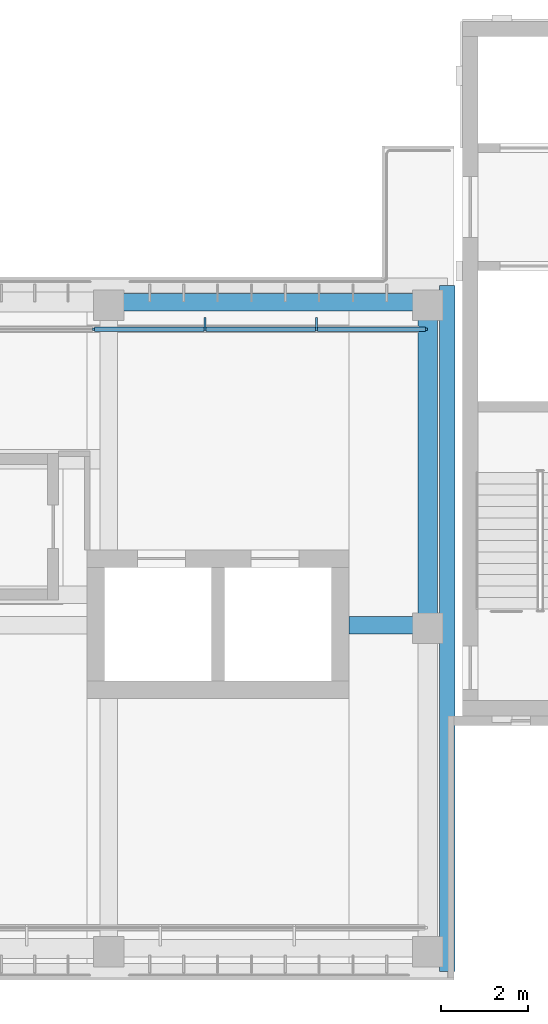
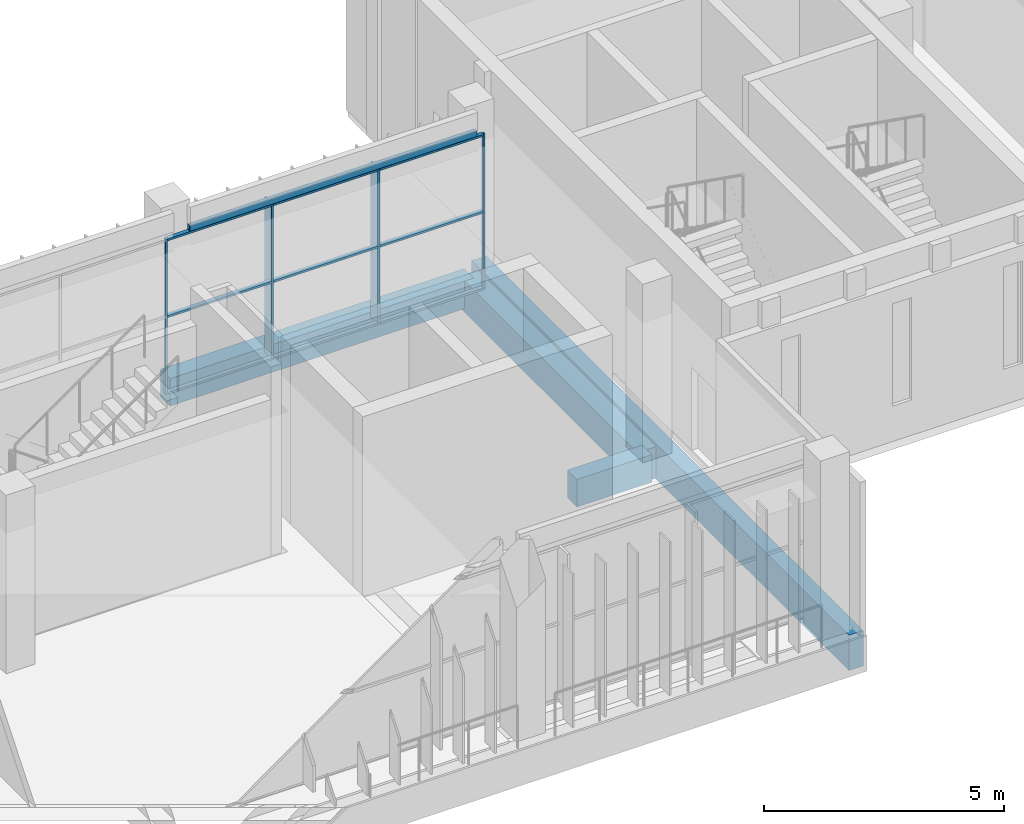
# One storey, part 18 of 46: 13 members, 5 beams, 1 element without a shape of its own.
"""IFC4 building model written with IfcOpenShell, lengths in metres."""

import ifcopenshell
import ifcopenshell.guid

model = None  # the IFC model being written
_history = None  # IfcOwnerHistory: only IFC2X3 demands one
_inside = {}  # id of a spatial element -> (the spatial element, [elements in it])
_under = {}  # id of a project, library or spatial element -> (it, [spatial elements below it])
_declared = {}  # id of a project -> (the project, [libraries it declares])
_typed = {}  # id of a type object -> (the type object, [elements of that type])
_made_of = {}  # id of a material, layer set ... -> (it, [elements and type objects made of it])


def new_model(schema):
    """Start an empty IFC model of exactly this schema.

    Asked for "IFC4X3", IfcOpenShell would pick the latest addendum, in which some entities
    have other attributes; the version numbers below select the first issue.
    IFC2X3 requires an IfcOwnerHistory on every rooted entity: one is made here for all.
    """
    global model, _history
    if schema == "IFC4X3":
        model = ifcopenshell.file(schema_version=(4, 3, 0, 0))
    else:
        model = ifcopenshell.file(schema=schema)
    _inside.clear()
    _under.clear()
    _declared.clear()
    _typed.clear()
    _made_of.clear()
    _history = None
    if model.schema == "IFC2X3":
        org = make("IfcOrganization", Name="unknown")
        user = make(
            "IfcPersonAndOrganization",
            ThePerson=make("IfcPerson", FamilyName="unknown"),
            TheOrganization=org,
        )
        app = make(
            "IfcApplication",
            ApplicationDeveloper=org,
            Version="unknown",
            ApplicationFullName="unknown",
            ApplicationIdentifier="unknown",
        )
        _history = make(
            "IfcOwnerHistory",
            OwningUser=user,
            OwningApplication=app,
            ChangeAction="ADDED",
            CreationDate=0,
        )
    return model


def make(cls, **values):
    """One entity of the class cls with the attributes given. An attribute that is None is left unset."""
    return model.create_entity(
        cls, **{name: value for name, value in values.items() if value is not None}
    )


def rooted(cls, **values):
    """An entity with a GlobalId (a new one), such as an element, a storey or a relation."""
    return make(cls, GlobalId=ifcopenshell.guid.new(), OwnerHistory=_history, **values)


def si_unit(unit_type, name, prefix=None):
    """IfcSIUnit, for example si_unit("LENGTHUNIT", "METRE", prefix="MILLI")."""
    return make("IfcSIUnit", UnitType=unit_type, Prefix=prefix, Name=name)


def assignment(units):
    """IfcUnitAssignment: the units of a project."""
    return None if units is None else make("IfcUnitAssignment", Units=units)


def point(xyz):
    """IfcCartesianPoint."""
    return None if xyz is None else make("IfcCartesianPoint", Coordinates=xyz)


def direction(xyz):
    """IfcDirection."""
    return None if xyz is None else make("IfcDirection", DirectionRatios=xyz)


def frame(location, z_axis=None, x_axis=None):
    """IfcAxis2Placement3D, a coordinate frame: its origin and axes. An axis left out is left unset."""
    return make(
        "IfcAxis2Placement3D",
        Location=point(location),
        Axis=direction(z_axis),
        RefDirection=direction(x_axis),
    )


def frame_2d(location, x_axis=None):
    """IfcAxis2Placement2D, a coordinate frame in the plane: its origin and x axis."""
    return make(
        "IfcAxis2Placement2D", Location=point(location), RefDirection=direction(x_axis)
    )


def origin():
    """The frame at (0, 0, 0) with its axes left unset."""
    return frame((0.0, 0.0, 0.0))


def origin_2d():
    """The frame at (0, 0) in the plane with its x axis left unset."""
    return frame_2d((0.0, 0.0))


def place(relative_to, where):
    """IfcLocalPlacement: puts the frame where relative to a parent placement (None: the world)."""
    return make(
        "IfcLocalPlacement", PlacementRelTo=relative_to, RelativePlacement=where
    )


def context(
    kind, dimensions, precision=None, world=None, true_north=None, identifier=None
):
    """IfcGeometricRepresentationContext, for example the 3D "Model" context."""
    return make(
        "IfcGeometricRepresentationContext",
        ContextIdentifier=identifier,
        ContextType=kind,
        CoordinateSpaceDimension=dimensions,
        Precision=precision,
        WorldCoordinateSystem=world,
        TrueNorth=true_north,
    )


def subcontext(parent, identifier, kind, view, scale=None):
    """IfcGeometricRepresentationSubContext, for example "Body" below "Model"."""
    return make(
        "IfcGeometricRepresentationSubContext",
        ContextIdentifier=identifier,
        ContextType=kind,
        ParentContext=parent,
        TargetScale=scale,
        TargetView=view,
    )


def project(units=None, contexts=None):
    """IfcProject with its units and contexts."""
    return rooted(
        "IfcProject",
        Name="project",
        RepresentationContexts=contexts,
        UnitsInContext=assignment(units),
    )


def spatial(cls, under=None, at=None, **own):
    """A site, building, storey or space (cls), placed at a placement, below another one or the project."""
    s = rooted(cls, ObjectPlacement=at, **own)
    if under is not None:
        _under.setdefault(under.id(), (under, []))[1].append(s)
    return s


def profile(cls, at=None, kind="AREA", **sizes):
    """A parametric profile (cls). Its sizes go by their IFC names, for example OverallWidth=200.0."""
    return make(cls, ProfileType=kind, Position=at, **sizes)


def rectangle(**sizes):
    """IfcRectangleProfileDef."""
    return profile("IfcRectangleProfileDef", **sizes)


def hollow_rectangle(**sizes):
    """IfcRectangleHollowProfileDef."""
    return profile("IfcRectangleHollowProfileDef", **sizes)


def extrude(swept, where, along, depth):
    """IfcExtrudedAreaSolid: the profile swept, set in the frame where, extruded along a direction by depth."""
    return make(
        "IfcExtrudedAreaSolid",
        SweptArea=swept,
        Position=where,
        ExtrudedDirection=direction(along),
        Depth=depth,
    )


def shape(context_of_items, identifier, shape_type, items):
    """IfcShapeRepresentation: the items that make up one representation, for example the "Body"."""
    return make(
        "IfcShapeRepresentation",
        ContextOfItems=context_of_items,
        RepresentationIdentifier=identifier,
        RepresentationType=shape_type,
        Items=items,
    )


def material(Name=None, Category=None):
    """IfcMaterial."""
    return make("IfcMaterial", Name=Name, Category=Category)


def material_profile(
    of_material, cross_section, Name=None, Category=None, Priority=None
):
    """IfcMaterialProfile: a cross section and its material."""
    return make(
        "IfcMaterialProfile",
        Name=Name,
        Material=of_material,
        Profile=cross_section,
        Priority=Priority,
        Category=Category,
    )


def profile_set(profiles, Name=None, composite=None):
    """IfcMaterialProfileSet."""
    return make(
        "IfcMaterialProfileSet",
        Name=Name,
        MaterialProfiles=profiles,
        CompositeProfile=composite,
    )


def made_of(thing, what):
    """Note that an element or type object is made of a material, layer set ...; save() writes the relation."""
    if what is not None:
        _made_of.setdefault(what.id(), (what, []))[1].append(thing)
    return thing


def type_object(cls, material=None, **own):
    """A type object (cls), such as IfcWallType, which elements share."""
    return made_of(rooted(cls, **own), material)


def element(
    cls,
    number,
    at=None,
    inside=None,
    cuts=None,
    type_object=None,
    material=None,
    context=None,
    identifier="Body",
    shape_type=None,
    held_by="IfcProductDefinitionShape",
    body=None,
    shapes=None,
    **own,
):
    """One element of the class cls, such as IfcWall. Its Tag is "e" and its number.

    at: its placement. inside: the storey or other place that contains it. cuts: it is an
    opening in that element (IfcRelVoidsElement). A single representation is given by context,
    identifier, shape_type and body (its items); several are given by shapes. held_by: the class
    of the entity that holds the representations. save() writes the other relations.
    """
    e = rooted(cls, Tag="e%d" % number, ObjectPlacement=at, **own)
    if body is not None:
        shapes = [shape(context, identifier, shape_type, body)]
    if shapes is not None:
        e.Representation = make(held_by, Representations=shapes)
    if inside is not None:
        _inside.setdefault(inside.id(), (inside, []))[1].append(e)
    if cuts is not None:
        rooted(
            "IfcRelVoidsElement", RelatingBuildingElement=cuts, RelatedOpeningElement=e
        )
    if type_object is not None:
        _typed.setdefault(type_object.id(), (type_object, []))[1].append(e)
    return made_of(e, material)


def aggregate(whole, parts):
    """IfcRelAggregates: a whole, such as a stair, and the parts it consists of."""
    return rooted("IfcRelAggregates", RelatingObject=whole, RelatedObjects=parts)


def save(model, path):
    """Write the relations noted so far, then the file.

    IfcRelAggregates (storeys below a building ...), IfcRelContainedInSpatialStructure (elements
    in a storey), IfcRelDefinesByType, IfcRelAssociatesMaterial and IfcRelDeclares: one each for
    every whole, place, type object, material and project.
    """
    for whole, parts in _under.values():
        aggregate(whole, parts)
    for where, things in _inside.values():
        rooted(
            "IfcRelContainedInSpatialStructure",
            RelatedElements=things,
            RelatingStructure=where,
        )
    for kind, things in _typed.values():
        rooted("IfcRelDefinesByType", RelatedObjects=things, RelatingType=kind)
    for what, things in _made_of.values():
        rooted("IfcRelAssociatesMaterial", RelatedObjects=things, RelatingMaterial=what)
    for by, libraries in _declared.values():
        rooted("IfcRelDeclares", RelatingContext=by, RelatedDefinitions=libraries)
    model.write(path)


model = new_model("IFC4")

# Units and contexts
model_context = context("Model", 3, precision=1e-05, world=origin(), true_north=direction((0.0, 1.0)))
body_context = subcontext(model_context, "Body", "Model", "MODEL_VIEW")
ifc_project = project(units=[si_unit("LENGTHUNIT", "METRE"), si_unit("AREAUNIT", "SQUARE_METRE"), si_unit("VOLUMEUNIT", "CUBIC_METRE"), si_unit("PLANEANGLEUNIT", "RADIAN"), si_unit("MASSUNIT", "GRAM", prefix="KILO")], contexts=[model_context])

# Site, building, storey
site_placement = place(None, origin())
site = spatial("IfcSite", under=ifc_project, at=site_placement, CompositionType="ELEMENT")
building_placement = place(site_placement, origin())
building = spatial("IfcBuilding", under=site, at=building_placement, Name="Lantern Court Media Centre", CompositionType="ELEMENT")
storey_placement = place(building_placement, frame((0.0, 0.0, 28.800048828125)))
storey = spatial("IfcBuildingStorey", under=building, at=storey_placement, Name="L06", CompositionType="ELEMENT", Elevation=28.800048828125)

# Curtain wall, members
ifc_material_1 = material(Name="Curtain wall bay 2400")
curtain_wall_type = type_object("IfcCurtainWallType", Name="Curtain wall bay 2400", PredefinedType="NOTDEFINED", material=ifc_material_1)
curtain_wall_placement = place(storey_placement, origin())
curtain_wall = element("IfcCurtainWall", 1, at=curtain_wall_placement, inside=storey, type_object=curtain_wall_type, Name="Curtain wall S inner L06", PredefinedType="NOTDEFINED")
ifc_material_2 = material(Name="Anodised aluminium", Category="aluminium")
ifc_material_profile_1 = material_profile(ifc_material_2, rectangle(XDim=0.300048828125, YDim=0.050048828125, at=origin_2d()), Name="AL 50x300")
ifc_profile_set_1 = profile_set([ifc_material_profile_1], Name="Anodised aluminium")
member_type_1 = type_object("IfcMemberType", Name="Curtain wall mullion 50x300", PredefinedType="MULLION", material=ifc_profile_set_1)
member_1_placement = place(storey_placement, frame((74.199951171875, 56.969970703125, 0.0), z_axis=(0.0, 0.0, 1.0), x_axis=(0.0, 1.0, 0.0)))
member_1 = element("IfcMember", 2, at=member_1_placement, type_object=member_type_1, Name="CW2 mullion 5", PredefinedType="MULLION", context=body_context, shape_type="SweptSolid", body=[
    extrude(rectangle(XDim=0.300048828125, YDim=0.050048828125, at=origin_2d()), origin(), (0.0, 0.0, 1.0), 3.949951171875),
])
member_2_placement = place(storey_placement, frame((76.75, 56.969970703125, 0.0), z_axis=(0.0, 0.0, 1.0), x_axis=(0.0, 1.0, 0.0)))
member_2 = element("IfcMember", 3, at=member_2_placement, type_object=member_type_1, Name="CW2 mullion 6", PredefinedType="MULLION", context=body_context, shape_type="SweptSolid", body=[
    extrude(rectangle(XDim=0.300048828125, YDim=0.050048828125, at=origin_2d()), origin(), (0.0, 0.0, 1.0), 3.949951171875),
])
ifc_material_profile_2 = material_profile(ifc_material_2, rectangle(XDim=0.06005859375, YDim=0.050048828125, at=origin_2d()), Name="AL 50x60")
ifc_profile_set_2 = profile_set([ifc_material_profile_2], Name="Anodised aluminium")
member_type_2 = type_object("IfcMemberType", Name="Curtain wall mullion 50x60", PredefinedType="MULLION", material=ifc_profile_set_2)
member_3_placement = place(storey_placement, frame((71.64990234375, 56.85009765625, 0.0), z_axis=(0.0, 0.0, 1.0), x_axis=(0.0, 1.0, 0.0)))
member_3 = element("IfcMember", 4, at=member_3_placement, type_object=member_type_2, Name="CW2 mullion 4", PredefinedType="MULLION", context=body_context, shape_type="SweptSolid", body=[
    extrude(rectangle(XDim=0.06005859375, YDim=0.050048828125, at=origin_2d()), origin(), (0.0, 0.0, 1.0), 3.949951171875),
])
member_4_placement = place(storey_placement, frame((79.27490234375, 56.85009765625, 0.0), z_axis=(0.0, 0.0, 1.0), x_axis=(0.0, 1.0, 0.0)))
member_4 = element("IfcMember", 5, at=member_4_placement, type_object=member_type_2, Name="CW2 mullion 7", PredefinedType="MULLION", context=body_context, shape_type="SweptSolid", body=[
    extrude(rectangle(XDim=0.06005859375, YDim=0.050048828125, at=origin_2d()), origin(), (0.0, 0.0, 1.0), 3.949951171875),
])
ifc_material_profile_3 = material_profile(ifc_material_2, rectangle(XDim=0.10009765625, YDim=0.050048828125, at=origin_2d()), Name="AL 50x100")
ifc_profile_set_3 = profile_set([ifc_material_profile_3], Name="Anodised aluminium")
member_type_3 = type_object("IfcMemberType", Name="Curtain wall transom 100x50", PredefinedType="USERDEFINED", material=ifc_profile_set_3)
member_5_placement = place(storey_placement, frame((71.675048828125, 56.85009765625, 0.02490234375), z_axis=(1.0, 0.0, 0.0), x_axis=(0.0, 1.0, 0.0)))
member_5 = element("IfcMember", 6, at=member_5_placement, type_object=member_type_3, Name="CW2 transom 4.1", ObjectType="TRANSOM", PredefinedType="USERDEFINED", context=body_context, shape_type="SweptSolid", body=[
    extrude(rectangle(XDim=0.10009765625, YDim=0.050048828125, at=origin_2d()), origin(), (0.0, 0.0, 1.0), 2.5),
])
member_6_placement = place(storey_placement, frame((71.675048828125, 56.85009765625, 1.974853515625), z_axis=(1.0, 0.0, 0.0), x_axis=(0.0, 1.0, 0.0)))
member_6 = element("IfcMember", 7, at=member_6_placement, type_object=member_type_3, Name="CW2 transom 4.2", ObjectType="TRANSOM", PredefinedType="USERDEFINED", context=body_context, shape_type="SweptSolid", body=[
    extrude(rectangle(XDim=0.10009765625, YDim=0.050048828125, at=origin_2d()), origin(), (0.0, 0.0, 1.0), 2.5),
])
member_7_placement = place(storey_placement, frame((71.675048828125, 56.85009765625, 3.925048828125), z_axis=(1.0, 0.0, 0.0), x_axis=(0.0, 1.0, 0.0)))
member_7 = element("IfcMember", 8, at=member_7_placement, type_object=member_type_3, Name="CW2 transom 4.3", ObjectType="TRANSOM", PredefinedType="USERDEFINED", context=body_context, shape_type="SweptSolid", body=[
    extrude(rectangle(XDim=0.10009765625, YDim=0.050048828125, at=origin_2d()), origin(), (0.0, 0.0, 1.0), 2.5),
])
member_8_placement = place(storey_placement, frame((74.22509765625, 56.85009765625, 0.02490234375), z_axis=(1.0, 0.0, 0.0), x_axis=(0.0, 1.0, 0.0)))
member_8 = element("IfcMember", 9, at=member_8_placement, type_object=member_type_3, Name="CW2 transom 5.1", ObjectType="TRANSOM", PredefinedType="USERDEFINED", context=body_context, shape_type="SweptSolid", body=[
    extrude(rectangle(XDim=0.10009765625, YDim=0.050048828125, at=origin_2d()), origin(), (0.0, 0.0, 1.0), 2.5),
])
member_9_placement = place(storey_placement, frame((74.22509765625, 56.85009765625, 1.974853515625), z_axis=(1.0, 0.0, 0.0), x_axis=(0.0, 1.0, 0.0)))
member_9 = element("IfcMember", 10, at=member_9_placement, type_object=member_type_3, Name="CW2 transom 5.2", ObjectType="TRANSOM", PredefinedType="USERDEFINED", context=body_context, shape_type="SweptSolid", body=[
    extrude(rectangle(XDim=0.10009765625, YDim=0.050048828125, at=origin_2d()), origin(), (0.0, 0.0, 1.0), 2.5),
])
member_10_placement = place(storey_placement, frame((74.22509765625, 56.85009765625, 3.925048828125), z_axis=(1.0, 0.0, 0.0), x_axis=(0.0, 1.0, 0.0)))
member_10 = element("IfcMember", 11, at=member_10_placement, type_object=member_type_3, Name="CW2 transom 5.3", ObjectType="TRANSOM", PredefinedType="USERDEFINED", context=body_context, shape_type="SweptSolid", body=[
    extrude(rectangle(XDim=0.10009765625, YDim=0.050048828125, at=origin_2d()), origin(), (0.0, 0.0, 1.0), 2.5),
])
member_11_placement = place(storey_placement, frame((76.77490234375, 56.85009765625, 0.02490234375), z_axis=(1.0, 0.0, 0.0), x_axis=(0.0, 1.0, 0.0)))
member_11 = element("IfcMember", 12, at=member_11_placement, type_object=member_type_3, Name="CW2 transom 6.1", ObjectType="TRANSOM", PredefinedType="USERDEFINED", context=body_context, shape_type="SweptSolid", body=[
    extrude(rectangle(XDim=0.10009765625, YDim=0.050048828125, at=origin_2d()), origin(), (0.0, 0.0, 1.0), 2.47509765625),
])
member_12_placement = place(storey_placement, frame((76.77490234375, 56.85009765625, 1.974853515625), z_axis=(1.0, 0.0, 0.0), x_axis=(0.0, 1.0, 0.0)))
member_12 = element("IfcMember", 13, at=member_12_placement, type_object=member_type_3, Name="CW2 transom 6.2", ObjectType="TRANSOM", PredefinedType="USERDEFINED", context=body_context, shape_type="SweptSolid", body=[
    extrude(rectangle(XDim=0.10009765625, YDim=0.050048828125, at=origin_2d()), origin(), (0.0, 0.0, 1.0), 2.47509765625),
])
member_13_placement = place(storey_placement, frame((76.77490234375, 56.85009765625, 3.925048828125), z_axis=(1.0, 0.0, 0.0), x_axis=(0.0, 1.0, 0.0)))
member_13 = element("IfcMember", 14, at=member_13_placement, type_object=member_type_3, Name="CW2 transom 6.3", ObjectType="TRANSOM", PredefinedType="USERDEFINED", context=body_context, shape_type="SweptSolid", body=[
    extrude(rectangle(XDim=0.10009765625, YDim=0.050048828125, at=origin_2d()), origin(), (0.0, 0.0, 1.0), 2.47509765625),
])
aggregate(curtain_wall, [member_3, member_1, member_2, member_4, member_5, member_6, member_7, member_8, member_9, member_10, member_11, member_12, member_13])

# Beams
ifc_material_3 = material(Name="Steel S355J2 (EN 10025-2)", Category="steel")
ifc_material_profile_4 = material_profile(ifc_material_3, hollow_rectangle(XDim=0.10009765625, YDim=0.14990234375, WallThickness=0.00634765625, InnerFilletRadius=0.00634765625, OuterFilletRadius=0.009521484375, at=origin_2d()), Name="Facade head lintel RHS 150x100x6.3")
ifc_profile_set_4 = profile_set([ifc_material_profile_4], Name="Steel S355J2 (EN 10025-2)")
beam_type_1 = type_object("IfcBeamType", Name="Facade head lintel RHS 150x100x6.3", PredefinedType="BEAM", material=ifc_profile_set_4)
beam_1_placement = place(storey_placement, frame((72.199951171875, 56.85009765625, 4.02490234375), z_axis=(1.0, 0.0, 0.0), x_axis=(0.0, 1.0, 0.0)))
element("IfcBeam", 15, at=beam_1_placement, inside=storey, type_object=beam_type_1, Name="Facade head lintel S L06", PredefinedType="BEAM", context=body_context, shape_type="SweptSolid", body=[
    extrude(hollow_rectangle(XDim=0.10009765625, YDim=0.14990234375, WallThickness=0.00634765625, InnerFilletRadius=0.00634765625, OuterFilletRadius=0.009521484375, at=origin_2d()), origin(), (0.0, 0.0, 1.0), 6.900146484375),
])
ifc_material_4 = material(Name="Concrete C35", Category="concrete")
ifc_material_profile_5 = material_profile(ifc_material_4, rectangle(XDim=0.35009765625, YDim=0.89990234375, at=origin_2d()), Name="RC 350x900")
ifc_profile_set_5 = profile_set([ifc_material_profile_5], Name="Concrete C35")
beam_type_2 = type_object("IfcBeamType", Name="RC BEAM 350x900", PredefinedType="BEAM", material=ifc_profile_set_5)
beam_2_placement = place(storey_placement, frame((79.75, 42.14990234375, -0.449951171875), z_axis=(0.0, 1.0, 0.0), x_axis=(-1.0, 0.0, 0.0)))
element("IfcBeam", 16, at=beam_2_placement, inside=storey, type_object=beam_type_2, Name="EB-S-L06-D", PredefinedType="BEAM", context=body_context, shape_type="SweptSolid", body=[
    extrude(rectangle(XDim=0.35009765625, YDim=0.89990234375, at=origin_2d()), origin(), (0.0, 0.0, 1.0), 15.7001953125),
])
ifc_material_profile_6 = material_profile(ifc_material_4, rectangle(XDim=0.39990234375, YDim=0.699951171875, at=origin_2d()), Name="RC 400x700")
ifc_profile_set_6 = profile_set([ifc_material_profile_6], Name="Concrete C35")
beam_type_3 = type_object("IfcBeamType", Name="RC BEAM 400x700", PredefinedType="BEAM", material=ifc_profile_set_6)
beam_3_placement = place(storey_placement, frame((77.5, 50.072998046875, -0.35009765625), z_axis=(1.0, 0.0, 0.0), x_axis=(0.0, 1.0, 0.0)))
element("IfcBeam", 17, at=beam_3_placement, inside=storey, type_object=beam_type_3, Name="LB-S-L06-1-51", PredefinedType="BEAM", context=body_context, shape_type="SweptSolid", body=[
    extrude(rectangle(XDim=0.39990234375, YDim=0.699951171875, at=origin_2d()), origin(), (0.0, 0.0, 1.0), 1.800048828125),
])
beam_4_placement = place(storey_placement, frame((72.0, 57.472900390625, -0.35009765625), z_axis=(1.0, 0.0, 0.0), x_axis=(0.0, 1.0, 0.0)))
element("IfcBeam", 18, at=beam_4_placement, inside=storey, type_object=beam_type_3, Name="LB-S-L06-2-6", PredefinedType="BEAM", context=body_context, shape_type="SweptSolid", body=[
    extrude(rectangle(XDim=0.39990234375, YDim=0.699951171875, at=origin_2d()), origin(), (0.0, 0.0, 1.0), 7.300048828125),
])
ifc_material_profile_7 = material_profile(ifc_material_4, rectangle(XDim=0.449951171875, YDim=0.800048828125, at=origin_2d()), Name="RC 450x800")
ifc_profile_set_7 = profile_set([ifc_material_profile_7], Name="Concrete C35")
beam_type_4 = type_object("IfcBeamType", Name="RC BEAM 450x800", PredefinedType="BEAM", material=ifc_profile_set_7)
beam_5_placement = place(storey_placement, frame((79.300048828125, 50.083251953125, -0.400146484375), z_axis=(0.0, 1.0, 0.0), x_axis=(-1.0, 0.0, 0.0)))
element("IfcBeam", 19, at=beam_5_placement, inside=storey, type_object=beam_type_4, Name="TB-S-L06-7-2", PredefinedType="BEAM", context=body_context, shape_type="SweptSolid", body=[
    extrude(rectangle(XDim=0.449951171875, YDim=0.800048828125, at=origin_2d()), origin(), (0.0, 0.0, 1.0), 7.400146484375),
])

save(model, "model.ifc")
